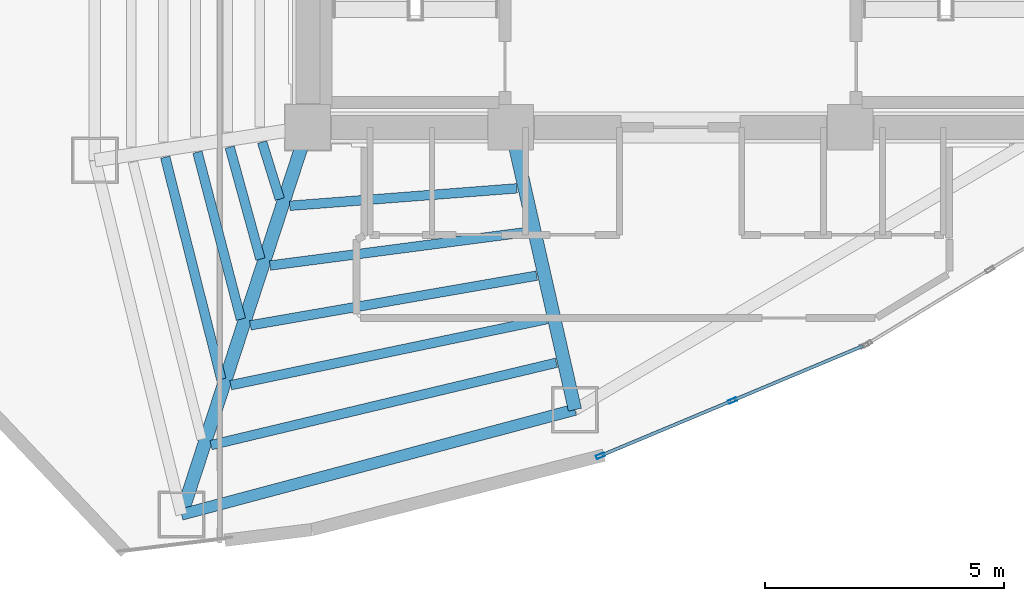
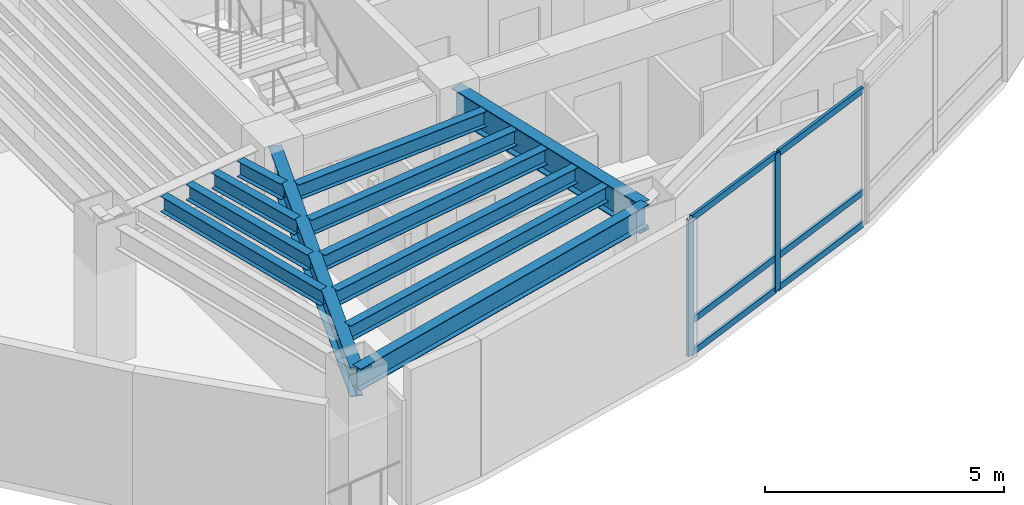
# One storey, part 3 of 16: 12 beams, 8 members, 1 element without a shape of its own.
"""IFC4 building model written with IfcOpenShell, lengths in metres."""

from ifc_helpers import new_model, si_unit, direction, frame, origin, origin_2d, place, context, subcontext, project, spatial, hollow_rectangle, i_section, extrude, material, layer, layer_set, material_profile, profile_set, type_object, element, aggregate, save


model = new_model("IFC4")

# Units and contexts
model_context = context("Model", 3, precision=1e-05, world=origin(), true_north=direction((0.0, 1.0)))
body_context = subcontext(model_context, "Body", "Model", "MODEL_VIEW")
ifc_project = project(units=[si_unit("LENGTHUNIT", "METRE"), si_unit("AREAUNIT", "SQUARE_METRE"), si_unit("VOLUMEUNIT", "CUBIC_METRE"), si_unit("PLANEANGLEUNIT", "RADIAN"), si_unit("MASSUNIT", "GRAM", prefix="KILO")], contexts=[model_context])

# Site, building, storey
site_placement = place(None, origin())
site = spatial("IfcSite", under=ifc_project, at=site_placement, CompositionType="ELEMENT")
building_placement = place(site_placement, origin())
building = spatial("IfcBuilding", under=site, at=building_placement, Name="Menara Vayukalpa", CompositionType="ELEMENT")
storey_placement = place(building_placement, frame((0.0, 0.0, 195.239990234375)))
storey = spatial("IfcBuildingStorey", under=building, at=storey_placement, Name="L49", CompositionType="ELEMENT", Elevation=195.239990234375)

# Beams
ifc_material_1 = material(Name="Steel S355", Category="steel")
ifc_material_profile_1 = material_profile(ifc_material_1, i_section(OverallWidth=0.280029296875, OverallDepth=0.75, WebThickness=0.013916015625, FlangeThickness=0.02490234375, at=origin_2d()), Name="WF 750x280x14x25")
ifc_profile_set_1 = profile_set([ifc_material_profile_1], Name="Steel S355")
beam_type_1 = type_object("IfcBeamType", Name="BM-PG4", PredefinedType="BEAM", material=ifc_profile_set_1)
beam_1_placement = place(storey_placement, frame((17.722412109375, 16.96240234375, 3.125), z_axis=(-0.310343552153, -0.950624468251, 0.0), x_axis=(0.950624468251, -0.310343552153, 0.0)))
element("IfcBeam", 1, at=beam_1_placement, inside=storey, type_object=beam_type_1, Name="L49 Primary Radial Girder RG07", PredefinedType="BEAM", context=body_context, shape_type="SweptSolid", body=[
    extrude(i_section(OverallWidth=0.280029296875, OverallDepth=0.75, WebThickness=0.013916015625, FlangeThickness=0.02490234375, at=origin_2d()), origin(), (0.0, 0.0, 1.0), 8.2734375),
])
beam_2_placement = place(storey_placement, frame((22.105224609375, 16.956298828125, 3.125), z_axis=(0.221085149161, -0.975254508741, 0.0), x_axis=(0.975254508741, 0.221085149161, 0.0)))
element("IfcBeam", 2, at=beam_2_placement, inside=storey, type_object=beam_type_1, Name="L49 Primary Radial Girder RG08", PredefinedType="BEAM", context=body_context, shape_type="SweptSolid", body=[
    extrude(i_section(OverallWidth=0.280029296875, OverallDepth=0.75, WebThickness=0.013916015625, FlangeThickness=0.02490234375, at=origin_2d()), origin(), (0.0, 0.0, 1.0), 5.80859375),
])
ifc_material_2 = material(Name="Steel S355", Category="steel")
ifc_material_profile_2 = material_profile(ifc_material_2, i_section(OverallWidth=0.199951171875, OverallDepth=0.39990234375, WebThickness=0.008056640625, FlangeThickness=0.012939453125, at=origin_2d()), Name="WF 400x200x8x13")
ifc_profile_set_2 = profile_set([ifc_material_profile_2], Name="Steel S355")
beam_type_2 = type_object("IfcBeamType", Name="BM-SJ2", PredefinedType="JOIST", material=ifc_profile_set_2)
beam_3_placement = place(storey_placement, frame((16.8427734375, 16.891845703125, 3.300048828125), z_axis=(0.296448419226, -0.955048865105, 0.0), x_axis=(0.955048865105, 0.296448419226, 0.0)))
element("IfcBeam", 3, at=beam_3_placement, inside=storey, type_object=beam_type_2, Name="L49 Secondary Floor Joist SJ06-1", PredefinedType="JOIST", context=body_context, shape_type="SweptSolid", body=[
    extrude(i_section(OverallWidth=0.199951171875, OverallDepth=0.39990234375, WebThickness=0.008056640625, FlangeThickness=0.012939453125, at=origin_2d()), origin(), (0.0, 0.0, 1.0), 1.24853515625),
])
beam_4_placement = place(storey_placement, frame((16.164306640625, 16.7861328125, 3.300048828125), z_axis=(0.264502665082, -0.964384954344, 0.0), x_axis=(0.964384954344, 0.264502665082, 0.0)))
element("IfcBeam", 4, at=beam_4_placement, inside=storey, type_object=beam_type_2, Name="L49 Secondary Floor Joist SJ06-2", PredefinedType="JOIST", context=body_context, shape_type="SweptSolid", body=[
    extrude(i_section(OverallWidth=0.199951171875, OverallDepth=0.39990234375, WebThickness=0.008056640625, FlangeThickness=0.012939453125, at=origin_2d()), origin(), (0.0, 0.0, 1.0), 2.430419921875),
])
beam_5_placement = place(storey_placement, frame((15.48876953125, 16.681396484375, 3.300048828125), z_axis=(0.251714869346, -0.967801438597, 0.0), x_axis=(0.967801438597, 0.251714869346, 0.0)))
element("IfcBeam", 5, at=beam_5_placement, inside=storey, type_object=beam_type_2, Name="L49 Secondary Floor Joist SJ06-3", PredefinedType="JOIST", context=body_context, shape_type="SweptSolid", body=[
    extrude(i_section(OverallWidth=0.199951171875, OverallDepth=0.39990234375, WebThickness=0.008056640625, FlangeThickness=0.012939453125, at=origin_2d()), origin(), (0.0, 0.0, 1.0), 3.61279296875),
])
beam_6_placement = place(storey_placement, frame((14.814208984375, 16.576904296875, 3.300048828125), z_axis=(0.24483447751, -0.969564891393, 0.0), x_axis=(0.969564891393, 0.24483447751, 0.0)))
element("IfcBeam", 6, at=beam_6_placement, inside=storey, type_object=beam_type_2, Name="L49 Secondary Floor Joist SJ06-4", PredefinedType="JOIST", context=body_context, shape_type="SweptSolid", body=[
    extrude(i_section(OverallWidth=0.199951171875, OverallDepth=0.39990234375, WebThickness=0.008056640625, FlangeThickness=0.012939453125, at=origin_2d()), origin(), (0.0, 0.0, 1.0), 4.79638671875),
])
beam_7_placement = place(storey_placement, frame((17.419921875, 15.558837890625, 3.300048828125), z_axis=(0.997061705182, 0.076602585202, 0.0), x_axis=(-0.076602585202, 0.997061705182, 0.0)))
element("IfcBeam", 7, at=beam_7_placement, inside=storey, type_object=beam_type_2, Name="L49 Secondary Floor Joist SJ07-1", PredefinedType="JOIST", context=body_context, shape_type="SweptSolid", body=[
    extrude(i_section(OverallWidth=0.199951171875, OverallDepth=0.39990234375, WebThickness=0.008056640625, FlangeThickness=0.012939453125, at=origin_2d()), origin(), (0.0, 0.0, 1.0), 4.77099609375),
])
beam_8_placement = place(storey_placement, frame((17.008056640625, 14.308837890625, 3.300048828125), z_axis=(0.99161070493, 0.129260240866, 0.0), x_axis=(-0.129260240866, 0.99161070493, 0.0)))
element("IfcBeam", 8, at=beam_8_placement, inside=storey, type_object=beam_type_2, Name="L49 Secondary Floor Joist SJ07-2", PredefinedType="JOIST", context=body_context, shape_type="SweptSolid", body=[
    extrude(i_section(OverallWidth=0.199951171875, OverallDepth=0.39990234375, WebThickness=0.008056640625, FlangeThickness=0.012939453125, at=origin_2d()), origin(), (0.0, 0.0, 1.0), 5.420654296875),
])
beam_9_placement = place(storey_placement, frame((16.59619140625, 13.05712890625, 3.300048828125), z_axis=(0.985288833054, 0.170897382832, 0.0), x_axis=(-0.170897382832, 0.985288833054, 0.0)))
element("IfcBeam", 9, at=beam_9_placement, inside=storey, type_object=beam_type_2, Name="L49 Secondary Floor Joist SJ07-3", PredefinedType="JOIST", context=body_context, shape_type="SweptSolid", body=[
    extrude(i_section(OverallWidth=0.199951171875, OverallDepth=0.39990234375, WebThickness=0.008056640625, FlangeThickness=0.012939453125, at=origin_2d()), origin(), (0.0, 0.0, 1.0), 6.0830078125),
])
beam_10_placement = place(storey_placement, frame((16.184326171875, 11.80419921875, 3.300048828125), z_axis=(0.97888709748, 0.204401688806, 0.0), x_axis=(-0.204401688806, 0.97888709748, 0.0)))
element("IfcBeam", 10, at=beam_10_placement, inside=storey, type_object=beam_type_2, Name="L49 Secondary Floor Joist SJ07-4", PredefinedType="JOIST", context=body_context, shape_type="SweptSolid", body=[
    extrude(i_section(OverallWidth=0.199951171875, OverallDepth=0.39990234375, WebThickness=0.008056640625, FlangeThickness=0.012939453125, at=origin_2d()), origin(), (0.0, 0.0, 1.0), 6.75439453125),
])
beam_11_placement = place(storey_placement, frame((15.772705078125, 10.55029296875, 3.300048828125), z_axis=(0.972731800574, 0.231932844055, 0.0), x_axis=(-0.231932844055, 0.972731800574, 0.0)))
element("IfcBeam", 11, at=beam_11_placement, inside=storey, type_object=beam_type_2, Name="L49 Secondary Floor Joist SJ07-5", PredefinedType="JOIST", context=body_context, shape_type="SweptSolid", body=[
    extrude(i_section(OverallWidth=0.199951171875, OverallDepth=0.39990234375, WebThickness=0.008056640625, FlangeThickness=0.012939453125, at=origin_2d()), origin(), (0.0, 0.0, 1.0), 7.4326171875),
])
ifc_material_3 = material(Name="Steel S355", Category="steel")
ifc_material_profile_3 = material_profile(ifc_material_3, i_section(OverallWidth=0.239990234375, OverallDepth=0.550048828125, WebThickness=0.010986328125, FlangeThickness=0.01904296875, at=origin_2d()), Name="WF 550x240x11x19")
ifc_profile_set_3 = profile_set([ifc_material_profile_3], Name="Steel S355")
beam_type_3 = type_object("IfcBeamType", Name="BM-SP2", PredefinedType="SPANDREL", material=ifc_profile_set_3)
beam_12_placement = place(storey_placement, frame((15.15478515625, 9.097412109375, 3.22509765625), z_axis=(0.966287699272, 0.25746472037, 0.0), x_axis=(-0.25746472037, 0.966287699272, 0.0)))
element("IfcBeam", 12, at=beam_12_placement, inside=storey, type_object=beam_type_3, Name="L49 Perimeter Spandrel Beam SP07", PredefinedType="SPANDREL", context=body_context, shape_type="SweptSolid", body=[
    extrude(i_section(OverallWidth=0.239990234375, OverallDepth=0.550048828125, WebThickness=0.010986328125, FlangeThickness=0.01904296875, at=origin_2d()), origin(), (0.0, 0.0, 1.0), 8.52197265625),
])

# Curtain wall, members
ifc_material_4 = material(Name="Anodised Terracotta Aluminium Alloy 6063-T6", Category="masonry")
ifc_layer = layer(ifc_material_4, 0.179931640625)
ifc_layer_set = layer_set([ifc_layer], Name="Anodised Terracotta Aluminium Alloy 6063-T6")
curtain_wall_type = type_object("IfcCurtainWallType", Name="CW-CW4", PredefinedType="USERDEFINED", material=ifc_layer_set)
curtain_wall_placement = place(storey_placement, origin())
curtain_wall = element("IfcCurtainWall", 13, at=curtain_wall_placement, inside=storey, type_object=curtain_wall_type, Name="L49 Sky Bar Cantilever Glazed Curtain Wall CW4 19", ObjectType="UNITISED", PredefinedType="USERDEFINED")
ifc_material_5 = material(Name="Anodised Terracotta Aluminium Alloy 6063-T6", Category="masonry")
ifc_material_profile_4 = material_profile(ifc_material_5, hollow_rectangle(XDim=0.074951171875, YDim=0.179931640625, WallThickness=0.00390625, at=origin_2d()), Name="ALU 75x180x4")
ifc_profile_set_4 = profile_set([ifc_material_profile_4], Name="Anodised Terracotta Aluminium Alloy 6063-T6")
member_type_1 = type_object("IfcMemberType", Name="CWM-CW4", PredefinedType="MULLION", material=ifc_profile_set_4)
member_1_placement = place(storey_placement, frame((23.923095703125, 10.325927734375, 0.0), z_axis=(0.0, 0.0, 1.0), x_axis=(-0.385902834406, 0.922539431351, 0.0)))
member_1 = element("IfcMember", 14, at=member_1_placement, type_object=member_type_1, Name="CW4 mullion 1", PredefinedType="MULLION", context=body_context, shape_type="SweptSolid", body=[
    extrude(hollow_rectangle(XDim=0.074951171875, YDim=0.179931640625, WallThickness=0.00390625, at=origin_2d()), origin(), (0.0, 0.0, 1.0), 3.5),
])
member_2_placement = place(storey_placement, frame((26.686279296875, 11.481689453125, 0.0), z_axis=(0.0, 0.0, 1.0), x_axis=(-0.385902834406, 0.922539431351, 0.0)))
member_2 = element("IfcMember", 15, at=member_2_placement, type_object=member_type_1, Name="CW4 mullion 2", PredefinedType="MULLION", context=body_context, shape_type="SweptSolid", body=[
    extrude(hollow_rectangle(XDim=0.074951171875, YDim=0.179931640625, WallThickness=0.00390625, at=origin_2d()), origin(), (0.0, 0.0, 1.0), 3.5),
])
ifc_material_6 = material(Name="Anodised Terracotta Aluminium Alloy 6063-T6", Category="masonry")
ifc_material_profile_5 = material_profile(ifc_material_6, hollow_rectangle(XDim=0.070068359375, YDim=0.1650390625, WallThickness=0.00390625, at=origin_2d()), Name="ALU 70x165x4")
ifc_profile_set_5 = profile_set([ifc_material_profile_5], Name="Anodised Terracotta Aluminium Alloy 6063-T6")
member_type_2 = type_object("IfcMemberType", Name="CWT-CW4", PredefinedType="USERDEFINED", material=ifc_profile_set_5)
member_3_placement = place(storey_placement, frame((23.957763671875, 10.34033203125, 0.034912109375), z_axis=(0.922526843206, 0.38593292625, 0.0), x_axis=(-0.38593292625, 0.922526843206, 0.0)))
member_3 = element("IfcMember", 16, at=member_3_placement, type_object=member_type_2, Name="CW4 transom 1.1", ObjectType="TRANSOM", PredefinedType="USERDEFINED", context=body_context, shape_type="SweptSolid", body=[
    extrude(hollow_rectangle(XDim=0.070068359375, YDim=0.1650390625, WallThickness=0.00390625, at=origin_2d()), origin(), (0.0, 0.0, 1.0), 2.920166015625),
])
member_4_placement = place(storey_placement, frame((23.957763671875, 10.34033203125, 0.85009765625), z_axis=(0.922526843206, 0.38593292625, 0.0), x_axis=(-0.38593292625, 0.922526843206, 0.0)))
member_4 = element("IfcMember", 17, at=member_4_placement, type_object=member_type_2, Name="CW4 transom 1.2", ObjectType="TRANSOM", PredefinedType="USERDEFINED", context=body_context, shape_type="SweptSolid", body=[
    extrude(hollow_rectangle(XDim=0.070068359375, YDim=0.1650390625, WallThickness=0.00390625, at=origin_2d()), origin(), (0.0, 0.0, 1.0), 2.920166015625),
])
member_5_placement = place(storey_placement, frame((23.957763671875, 10.34033203125, 3.465087890625), z_axis=(0.922526843206, 0.38593292625, 0.0), x_axis=(-0.38593292625, 0.922526843206, 0.0)))
member_5 = element("IfcMember", 18, at=member_5_placement, type_object=member_type_2, Name="CW4 transom 1.3", ObjectType="TRANSOM", PredefinedType="USERDEFINED", context=body_context, shape_type="SweptSolid", body=[
    extrude(hollow_rectangle(XDim=0.070068359375, YDim=0.1650390625, WallThickness=0.00390625, at=origin_2d()), origin(), (0.0, 0.0, 1.0), 2.920166015625),
])
member_6_placement = place(storey_placement, frame((26.720703125, 11.49609375, 0.034912109375), z_axis=(0.922526843206, 0.38593292625, 0.0), x_axis=(-0.38593292625, 0.922526843206, 0.0)))
member_6 = element("IfcMember", 19, at=member_6_placement, type_object=member_type_2, Name="CW4 transom 2.1", ObjectType="TRANSOM", PredefinedType="USERDEFINED", context=body_context, shape_type="SweptSolid", body=[
    extrude(hollow_rectangle(XDim=0.070068359375, YDim=0.1650390625, WallThickness=0.00390625, at=origin_2d()), origin(), (0.0, 0.0, 1.0), 2.920166015625),
])
member_7_placement = place(storey_placement, frame((26.720703125, 11.49609375, 0.85009765625), z_axis=(0.922526843206, 0.38593292625, 0.0), x_axis=(-0.38593292625, 0.922526843206, 0.0)))
member_7 = element("IfcMember", 20, at=member_7_placement, type_object=member_type_2, Name="CW4 transom 2.2", ObjectType="TRANSOM", PredefinedType="USERDEFINED", context=body_context, shape_type="SweptSolid", body=[
    extrude(hollow_rectangle(XDim=0.070068359375, YDim=0.1650390625, WallThickness=0.00390625, at=origin_2d()), origin(), (0.0, 0.0, 1.0), 2.920166015625),
])
member_8_placement = place(storey_placement, frame((26.720703125, 11.49609375, 3.465087890625), z_axis=(0.922526843206, 0.38593292625, 0.0), x_axis=(-0.38593292625, 0.922526843206, 0.0)))
member_8 = element("IfcMember", 21, at=member_8_placement, type_object=member_type_2, Name="CW4 transom 2.3", ObjectType="TRANSOM", PredefinedType="USERDEFINED", context=body_context, shape_type="SweptSolid", body=[
    extrude(hollow_rectangle(XDim=0.070068359375, YDim=0.1650390625, WallThickness=0.00390625, at=origin_2d()), origin(), (0.0, 0.0, 1.0), 2.920166015625),
])
aggregate(curtain_wall, [member_1, member_2, member_3, member_4, member_5, member_6, member_7, member_8])

save(model, "model.ifc")
